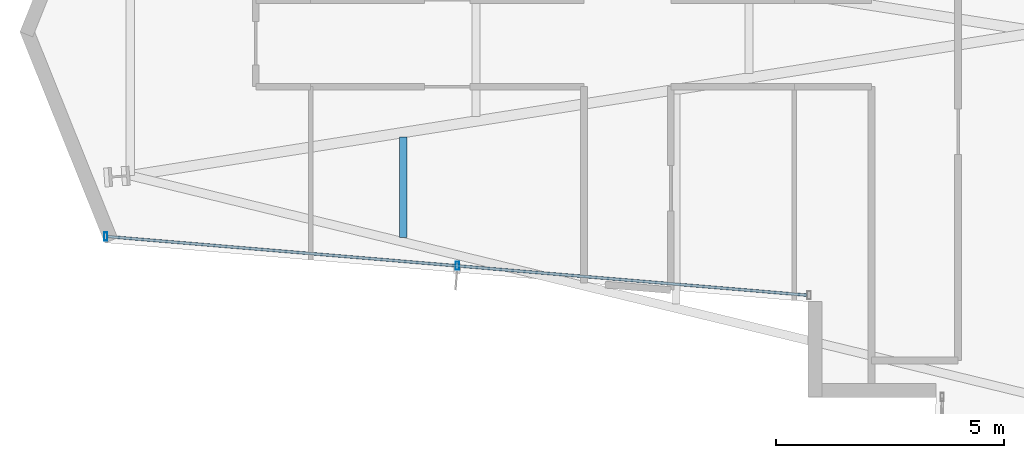
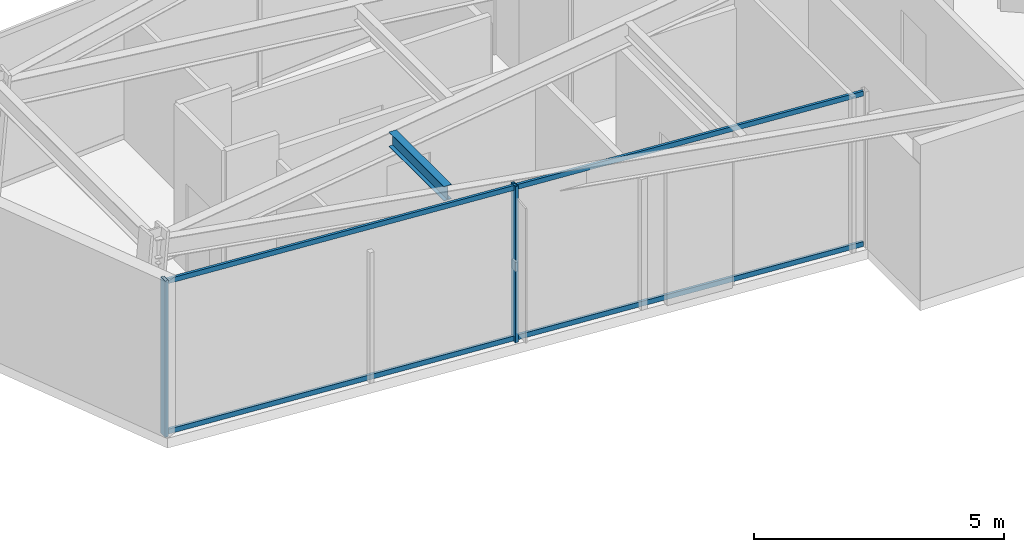
# One storey, part 2 of 25: 4 members, 1 beam, 1 element without a shape of its own.
"""IFC4 building model written with IfcOpenShell, lengths in metres."""

from ifc_helpers import new_model, si_unit, direction, frame, origin, origin_2d, place, context, subcontext, project, spatial, hollow_rectangle, i_section, extrude, material, layer, layer_set, material_profile, profile_set, type_object, element, aggregate, save


model = new_model("IFC4")

# Units and contexts
model_context = context("Model", 3, precision=1e-05, world=origin(), true_north=direction((0.0, 1.0)))
body_context = subcontext(model_context, "Body", "Model", "MODEL_VIEW")
ifc_project = project(units=[si_unit("LENGTHUNIT", "METRE"), si_unit("AREAUNIT", "SQUARE_METRE"), si_unit("VOLUMEUNIT", "CUBIC_METRE"), si_unit("PLANEANGLEUNIT", "RADIAN"), si_unit("MASSUNIT", "GRAM", prefix="KILO")], contexts=[model_context])

# Site, building, storey
site_placement = place(None, origin())
site = spatial("IfcSite", under=ifc_project, at=site_placement, CompositionType="ELEMENT")
building_placement = place(site_placement, origin())
building = spatial("IfcBuilding", under=site, at=building_placement, Name="Veymaron Broadcast Tower", CompositionType="ELEMENT")
storey_placement = place(building_placement, frame((0.0, 0.0, 137.10009765625)))
storey = spatial("IfcBuildingStorey", under=building, at=storey_placement, Name="L31", CompositionType="ELEMENT", Elevation=137.10009765625)

# Beam
ifc_material_1 = material(Name="Structural steel ASTM A992 Gr 50", Category="steel")
ifc_material_profile_1 = material_profile(ifc_material_1, i_section(OverallWidth=0.1708984375, OverallDepth=0.35498046875, WebThickness=0.007080078125, FlangeThickness=0.01171875, at=origin_2d()), Name="W360X51")
ifc_profile_set_1 = profile_set([ifc_material_profile_1], Name="Structural steel ASTM A992 Gr 50")
beam_type = type_object("IfcBeamType", Name="BM-JS2", PredefinedType="JOIST", material=ifc_profile_set_1)
beam_placement = place(storey_placement, frame((17.235107421875, 19.4951171875, 3.63232421875), z_axis=(0.0, 1.0, 0.0), x_axis=(-1.0, 0.0, 0.0)))
element("IfcBeam", 1, at=beam_placement, inside=storey, type_object=beam_type, Name="L31 Arm-A secondary joist 1S", PredefinedType="JOIST", context=body_context, shape_type="SweptSolid", body=[
    extrude(i_section(OverallWidth=0.1708984375, OverallDepth=0.35498046875, WebThickness=0.007080078125, FlangeThickness=0.01171875, at=origin_2d()), origin(), (0.0, 0.0, 1.0), 2.199951171875),
])

# Curtain wall, members
ifc_material_2 = material(Name="Anodised aluminium AA 6063-T6 and laminated low-E dark glass", Category="aluminium")
ifc_layer = layer(ifc_material_2, 0.179931640625)
ifc_layer_set = layer_set([ifc_layer], Name="Anodised aluminium AA 6063-T6 and laminated low-E dark glass")
curtain_wall_type = type_object("IfcCurtainWallType", Name="CW-SYS-03", PredefinedType="NOTDEFINED", material=ifc_layer_set)
curtain_wall_placement = place(storey_placement, origin())
curtain_wall = element("IfcCurtainWall", 2, at=curtain_wall_placement, inside=storey, type_object=curtain_wall_type, Name="L31 dark-glass curtain wall CW-L31-E14-1", PredefinedType="NOTDEFINED")
ifc_material_3 = material(Name="Anodised aluminium AA 6063-T6", Category="aluminium")
ifc_material_profile_2 = material_profile(ifc_material_3, hollow_rectangle(XDim=0.074951171875, YDim=0.179931640625, WallThickness=0.0048828125, at=origin_2d()), Name="AL180X75X5")
ifc_profile_set_2 = profile_set([ifc_material_profile_2], Name="Anodised aluminium AA 6063-T6")
member_type_1 = type_object("IfcMemberType", Name="CW-MUL-02", PredefinedType="MULLION", material=ifc_profile_set_2)
member_1_placement = place(storey_placement, frame((10.711669921875, 19.517333984375, 0.0), z_axis=(0.0, 0.0, 1.0), x_axis=(1.0, 0.0, 0.0)))
member_1 = element("IfcMember", 3, at=member_1_placement, type_object=member_type_1, Name="CW-L31-E14-1 mullion 0", PredefinedType="MULLION", context=body_context, shape_type="SweptSolid", body=[
    extrude(hollow_rectangle(XDim=0.074951171875, YDim=0.179931640625, WallThickness=0.0048828125, at=origin_2d()), origin(), (0.0, 0.0, 1.0), 3.809814453125),
])
member_2_placement = place(storey_placement, frame((18.421630859375, 18.871337890625, 0.0), z_axis=(0.0, 0.0, 1.0), x_axis=(1.0, 0.0, 0.0)))
member_2 = element("IfcMember", 4, at=member_2_placement, type_object=member_type_1, Name="CW-L31-E14-1 mullion 1", PredefinedType="MULLION", context=body_context, shape_type="SweptSolid", body=[
    extrude(hollow_rectangle(XDim=0.074951171875, YDim=0.179931640625, WallThickness=0.0048828125, at=origin_2d()), origin(), (0.0, 0.0, 1.0), 3.809814453125),
])
ifc_material_profile_3 = material_profile(ifc_material_3, hollow_rectangle(XDim=0.06005859375, YDim=0.1201171875, WallThickness=0.00390625, at=origin_2d()), Name="AL120X60X4")
ifc_profile_set_3 = profile_set([ifc_material_profile_3], Name="Anodised aluminium AA 6063-T6")
member_type_2 = type_object("IfcMemberType", Name="CW-TRN-02", PredefinedType="USERDEFINED", material=ifc_profile_set_3)
member_3_placement = place(storey_placement, frame((10.761474609375, 19.51318359375, 0.06982421875), z_axis=(0.996507981532, -0.083497561303, 0.0), x_axis=(0.083497561303, 0.996507981532, 0.0)))
member_3 = element("IfcMember", 5, at=member_3_placement, type_object=member_type_2, Name="CW-L31-E14-1 transom B", ObjectType="TRANSOM", PredefinedType="USERDEFINED", context=body_context, shape_type="SweptSolid", body=[
    extrude(hollow_rectangle(XDim=0.06005859375, YDim=0.1201171875, WallThickness=0.00390625, at=origin_2d()), origin(), (0.0, 0.0, 1.0), 15.3740234375),
])
member_4_placement = place(storey_placement, frame((10.761474609375, 19.51318359375, 3.739990234375), z_axis=(0.996507981532, -0.083497561303, 0.0), x_axis=(0.083497561303, 0.996507981532, 0.0)))
member_4 = element("IfcMember", 6, at=member_4_placement, type_object=member_type_2, Name="CW-L31-E14-1 transom T", ObjectType="TRANSOM", PredefinedType="USERDEFINED", context=body_context, shape_type="SweptSolid", body=[
    extrude(hollow_rectangle(XDim=0.06005859375, YDim=0.1201171875, WallThickness=0.00390625, at=origin_2d()), origin(), (0.0, 0.0, 1.0), 15.3740234375),
])
aggregate(curtain_wall, [member_1, member_2, member_3, member_4])

save(model, "model.ifc")
